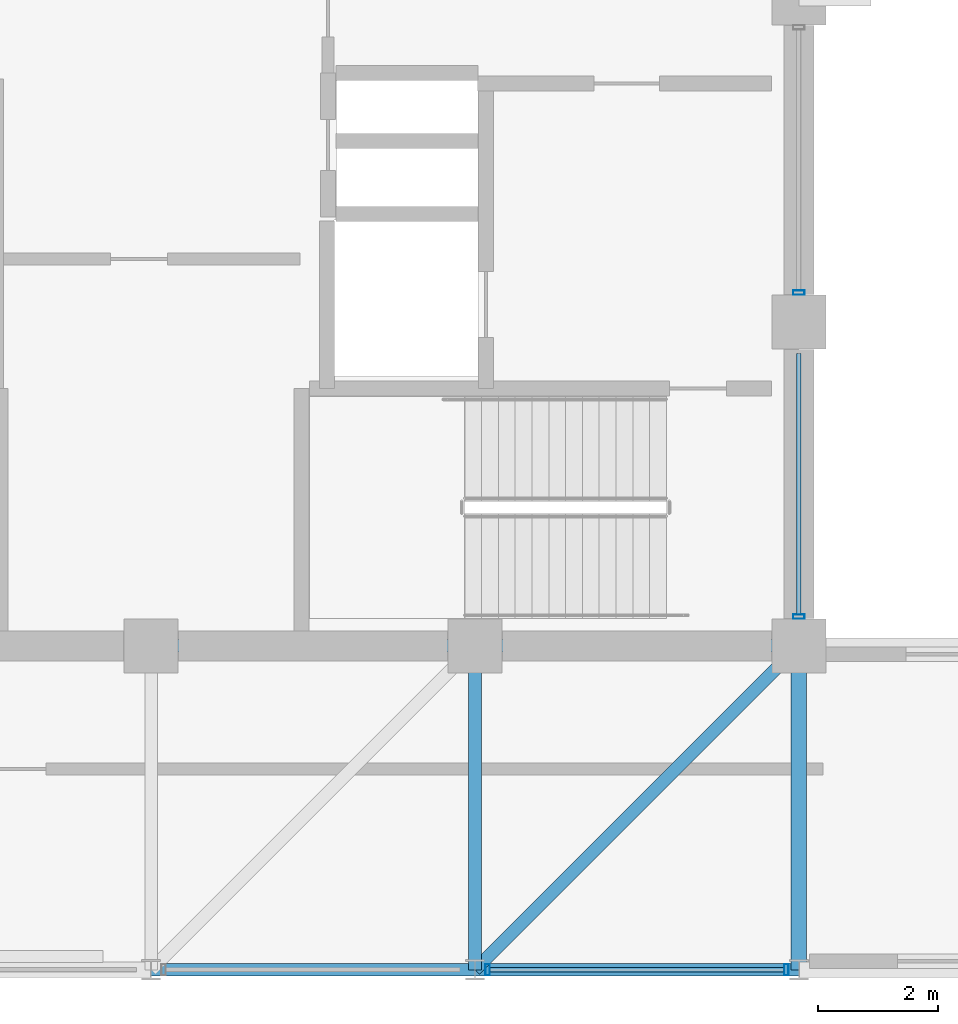
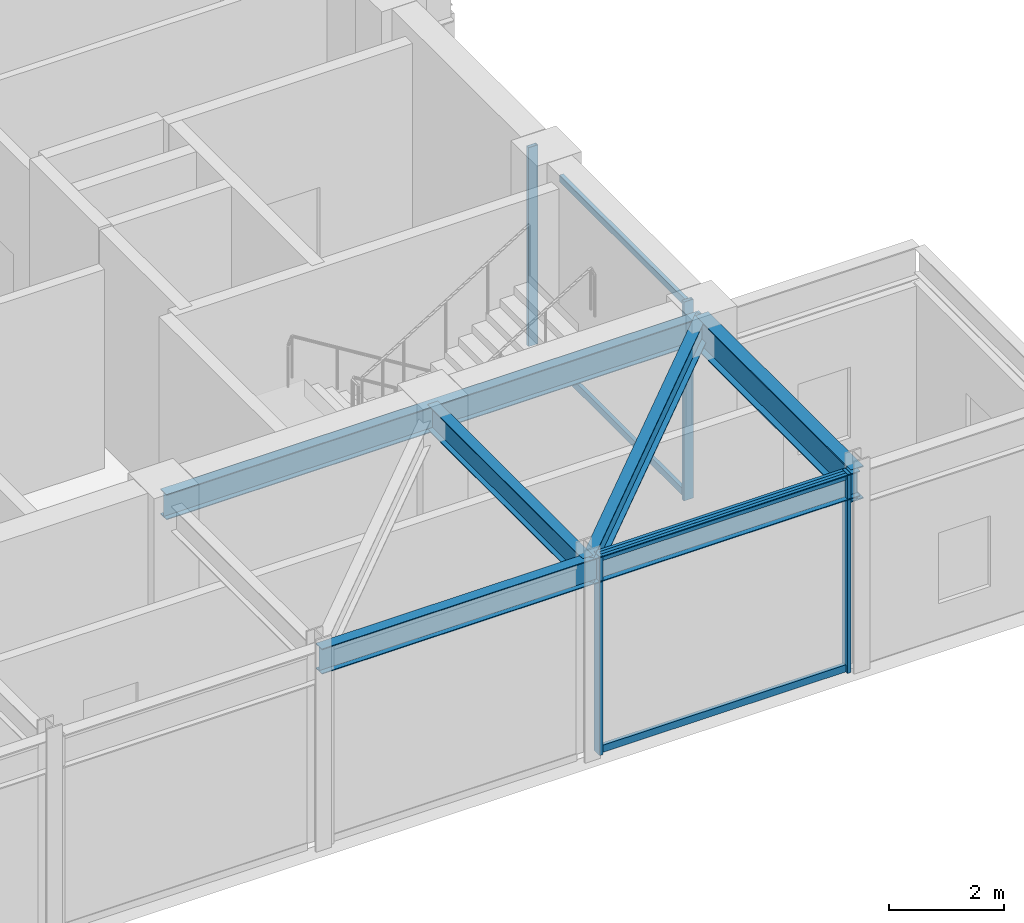
# One storey, part 5 of 18: 8 members, 5 beams, 2 elements without a shape of their own.
"""IFC4 building model written with IfcOpenShell, lengths in metres."""

from ifc_helpers import new_model, si_unit, direction, frame, origin, origin_2d, place, context, subcontext, project, spatial, hollow_rectangle, i_section, extrude, material, layer, layer_set, material_profile, profile_set, type_object, element, aggregate, save


model = new_model("IFC4")

# Units and contexts
model_context = context("Model", 3, precision=1e-05, world=origin(), true_north=direction((0.0, 1.0)))
body_context = subcontext(model_context, "Body", "Model", "MODEL_VIEW")
ifc_project = project(units=[si_unit("LENGTHUNIT", "METRE"), si_unit("AREAUNIT", "SQUARE_METRE"), si_unit("VOLUMEUNIT", "CUBIC_METRE"), si_unit("PLANEANGLEUNIT", "RADIAN"), si_unit("MASSUNIT", "GRAM", prefix="KILO")], contexts=[model_context])

# Site, building, storey
site_placement = place(None, origin())
site = spatial("IfcSite", under=ifc_project, at=site_placement, CompositionType="ELEMENT")
building_placement = place(site_placement, origin())
building = spatial("IfcBuilding", under=site, at=building_placement, Name="Surkhivell Harbour Commons", CompositionType="ELEMENT")
storey_placement = place(building_placement, frame((0.0, 0.0, 355.5)))
storey = spatial("IfcBuildingStorey", under=building, at=storey_placement, Name="L92", CompositionType="ELEMENT", Elevation=355.5)

# Beams
ifc_material_1 = material(Name="Steel S355", Category="steel")
ifc_material_profile_1 = material_profile(ifc_material_1, i_section(OverallWidth=0.2099609375, OverallDepth=0.537109375, WebThickness=0.0107421875, FlangeThickness=0.017333984375, at=origin_2d()), Name="UB533x210x101")
ifc_profile_set_1 = profile_set([ifc_material_profile_1], Name="Steel S355")
beam_type_1 = type_object("IfcBeamType", Name="BM-GRD-533B", PredefinedType="BEAM", material=ifc_profile_set_1)
for number, where, z_axis, x_axis, name in (
    (1, (0.0, -16.199951171875, 3.951416015625), (1.0, 0.0, 0.0), (0.0, 1.0, 0.0), "L92 Cantilever Back-Span Girder (0.0,-16.2)"),
    (2, (0.0, -10.800048828125, 3.951416015625), (1.0, 0.0, 0.0), (0.0, 1.0, 0.0), "L92 Cantilever Back-Span Girder (0.0,-10.8)"),
):
    element("IfcBeam", number, at=place(storey_placement, frame(where, z_axis=z_axis, x_axis=x_axis)), inside=storey, type_object=beam_type_1, Name=name, PredefinedType="BEAM", context=body_context, shape_type="SweptSolid", body=[
        extrude(i_section(OverallWidth=0.2099609375, OverallDepth=0.537109375, WebThickness=0.0107421875, FlangeThickness=0.017333984375, at=origin_2d()), origin(), (0.0, 0.0, 1.0), 10.800048828125),
    ])
beam_1_placement = place(storey_placement, frame((5.39990234375, -16.199951171875, 3.951416015625), z_axis=(0.0, 1.0, 0.0), x_axis=(-1.0, 0.0, 0.0)))
element("IfcBeam", 3, at=beam_1_placement, inside=storey, type_object=beam_type_1, Name="L92 Floor Girder (5.4,-16.2)", PredefinedType="BEAM", context=body_context, shape_type="SweptSolid", body=[
    extrude(i_section(OverallWidth=0.2099609375, OverallDepth=0.537109375, WebThickness=0.0107421875, FlangeThickness=0.017333984375, at=origin_2d()), origin(), (0.0, 0.0, 1.0), 5.39990234375),
])
beam_2_placement = place(storey_placement, frame((5.39990234375, -16.199951171875, 3.951416015625), z_axis=(0.707122765516, 0.707090796496, 0.0), x_axis=(-0.707090796496, 0.707122765516, 0.0)))
element("IfcBeam", 4, at=beam_2_placement, inside=storey, type_object=beam_type_1, Name="L92 Floor Girder (5.4,-16.2)", PredefinedType="BEAM", context=body_context, shape_type="SweptSolid", body=[
    extrude(i_section(OverallWidth=0.2099609375, OverallDepth=0.537109375, WebThickness=0.0107421875, FlangeThickness=0.017333984375, at=origin_2d()), origin(), (0.0, 0.0, 1.0), 7.63671875),
])
ifc_material_profile_2 = material_profile(ifc_material_1, i_section(OverallWidth=0.256103515625, OverallDepth=0.693115234375, WebThickness=0.014404296875, FlangeThickness=0.023681640625, at=origin_2d()), Name="UB686x254x170")
ifc_profile_set_2 = profile_set([ifc_material_profile_2], Name="Steel S355")
beam_type_2 = type_object("IfcBeamType", Name="BM-SPN-686", PredefinedType="SPANDREL", material=ifc_profile_set_2)
beam_3_placement = place(storey_placement, frame((10.800048828125, -16.199951171875, 3.87353515625), z_axis=(0.0, 1.0, 0.0), x_axis=(-1.0, 0.0, 0.0)))
element("IfcBeam", 5, at=beam_3_placement, inside=storey, type_object=beam_type_2, Name="L92 Tube Spandrel (10.8,-16.2)", PredefinedType="SPANDREL", context=body_context, shape_type="SweptSolid", body=[
    extrude(i_section(OverallWidth=0.256103515625, OverallDepth=0.693115234375, WebThickness=0.014404296875, FlangeThickness=0.023681640625, at=origin_2d()), origin(), (0.0, 0.0, 1.0), 5.39990234375),
])

# Curtain wall, members
ifc_material_2 = material(Name="Anodised pale-metal aluminium and insulated glazing", Category="aluminium")
ifc_layer = layer(ifc_material_2, 0.22998046875)
ifc_layer_set = layer_set([ifc_layer], Name="Anodised pale-metal aluminium and insulated glazing")
curtain_wall_type = type_object("IfcCurtainWallType", Name="CW-SYS-CRN", PredefinedType="NOTDEFINED", material=ifc_layer_set)
curtain_wall_1_placement = place(storey_placement, origin())
curtain_wall_1 = element("IfcCurtainWall", 6, at=curtain_wall_1_placement, inside=storey, type_object=curtain_wall_type, Name="L92 Curtain Wall CW-L92-C00", PredefinedType="NOTDEFINED")
ifc_material_3 = material(Name="Anodised pale-metal aluminium alloy 6063-T6", Category="aluminium")
ifc_material_profile_3 = material_profile(ifc_material_3, hollow_rectangle(XDim=0.074951171875, YDim=0.18994140625, WallThickness=0.00390625, at=origin_2d()), Name="ALU-MULL-75x190")
ifc_profile_set_3 = profile_set([ifc_material_profile_3], Name="Anodised pale-metal aluminium alloy 6063-T6")
member_type_1 = type_object("IfcMemberType", Name="CWM-190", PredefinedType="MULLION", material=ifc_profile_set_3)
member_1_placement = place(storey_placement, frame((5.609619140625, -16.199951171875, 0.0), z_axis=(0.0, 0.0, 1.0), x_axis=(1.0, 0.0, 0.0)))
member_1 = element("IfcMember", 7, at=member_1_placement, type_object=member_type_1, Name="CW-CRN mullion 5", PredefinedType="MULLION", context=body_context, shape_type="SweptSolid", body=[
    extrude(hollow_rectangle(XDim=0.074951171875, YDim=0.18994140625, WallThickness=0.00390625, at=origin_2d()), origin(), (0.0, 0.0, 1.0), 4.219970703125),
])
member_2_placement = place(storey_placement, frame((10.590576171875, -16.199951171875, 0.0), z_axis=(0.0, 0.0, 1.0), x_axis=(1.0, 0.0, 0.0)))
member_2 = element("IfcMember", 8, at=member_2_placement, type_object=member_type_1, Name="CW-CRN mullion 6", PredefinedType="MULLION", context=body_context, shape_type="SweptSolid", body=[
    extrude(hollow_rectangle(XDim=0.074951171875, YDim=0.18994140625, WallThickness=0.00390625, at=origin_2d()), origin(), (0.0, 0.0, 1.0), 4.219970703125),
])

curtain_wall_2_placement = place(storey_placement, origin())
curtain_wall_2 = element("IfcCurtainWall", 9, at=curtain_wall_2_placement, inside=storey, type_object=curtain_wall_type, Name="L92 Curtain Wall CW-L92-C01S1", PredefinedType="NOTDEFINED")
member_3_placement = place(storey_placement, frame((10.800048828125, -10.310546875, 0.0), z_axis=(0.0, 0.0, 1.0), x_axis=(0.0, 1.0, 0.0)))
member_3 = element("IfcMember", 10, at=member_3_placement, type_object=member_type_1, Name="CW-CRN mullion 1", PredefinedType="MULLION", context=body_context, shape_type="SweptSolid", body=[
    extrude(hollow_rectangle(XDim=0.074951171875, YDim=0.18994140625, WallThickness=0.00390625, at=origin_2d()), origin(), (0.0, 0.0, 1.0), 4.219970703125),
])
member_4_placement = place(storey_placement, frame((10.800048828125, -4.910400390625, 0.0), z_axis=(0.0, 0.0, 1.0), x_axis=(0.0, 1.0, 0.0)))
member_4 = element("IfcMember", 11, at=member_4_placement, type_object=member_type_1, Name="CW-CRN mullion 2", PredefinedType="MULLION", context=body_context, shape_type="SweptSolid", body=[
    extrude(hollow_rectangle(XDim=0.074951171875, YDim=0.18994140625, WallThickness=0.00390625, at=origin_2d()), origin(), (0.0, 0.0, 1.0), 4.219970703125),
])

# Member
ifc_material_profile_4 = material_profile(ifc_material_3, hollow_rectangle(XDim=0.074951171875, YDim=0.14990234375, WallThickness=0.00341796875, at=origin_2d()), Name="ALU-TRAN-75x150")
ifc_profile_set_4 = profile_set([ifc_material_profile_4], Name="Anodised pale-metal aluminium alloy 6063-T6")
member_type_2 = type_object("IfcMemberType", Name="CWT-150", PredefinedType="USERDEFINED", material=ifc_profile_set_4)
member_5_placement = place(storey_placement, frame((5.64697265625, -16.199951171875, 0.074951171875), z_axis=(1.0, 0.0, 0.0), x_axis=(0.0, 1.0, 0.0)))
member_5 = element("IfcMember", 12, at=member_5_placement, type_object=member_type_2, Name="CW-CRN transom 5.1", ObjectType="TRANSOM", PredefinedType="USERDEFINED", context=body_context, shape_type="SweptSolid", body=[
    extrude(hollow_rectangle(XDim=0.074951171875, YDim=0.14990234375, WallThickness=0.00341796875, at=origin_2d()), origin(), (0.0, 0.0, 1.0), 4.906005859375),
])

member_6_placement = place(storey_placement, frame((5.64697265625, -16.199951171875, 4.14501953125), z_axis=(1.0, 0.0, 0.0), x_axis=(0.0, 1.0, 0.0)))
member_6 = element("IfcMember", 13, at=member_6_placement, type_object=member_type_2, Name="CW-CRN transom 5.2", ObjectType="TRANSOM", PredefinedType="USERDEFINED", context=body_context, shape_type="SweptSolid", body=[
    extrude(hollow_rectangle(XDim=0.074951171875, YDim=0.14990234375, WallThickness=0.00341796875, at=origin_2d()), origin(), (0.0, 0.0, 1.0), 4.906005859375),
])

aggregate(curtain_wall_1, [member_1, member_2, member_5, member_6])

member_7_placement = place(storey_placement, frame((10.800048828125, -10.27294921875, 0.074951171875), z_axis=(0.0, 1.0, 0.0), x_axis=(-1.0, 0.0, 0.0)))
member_7 = element("IfcMember", 14, at=member_7_placement, type_object=member_type_2, Name="CW-CRN transom 1.1", ObjectType="TRANSOM", PredefinedType="USERDEFINED", context=body_context, shape_type="SweptSolid", body=[
    extrude(hollow_rectangle(XDim=0.074951171875, YDim=0.14990234375, WallThickness=0.00341796875, at=origin_2d()), origin(), (0.0, 0.0, 1.0), 4.345947265625),
])

member_8_placement = place(storey_placement, frame((10.800048828125, -10.27294921875, 4.14501953125), z_axis=(0.0, 1.0, 0.0), x_axis=(-1.0, 0.0, 0.0)))
member_8 = element("IfcMember", 15, at=member_8_placement, type_object=member_type_2, Name="CW-CRN transom 1.2", ObjectType="TRANSOM", PredefinedType="USERDEFINED", context=body_context, shape_type="SweptSolid", body=[
    extrude(hollow_rectangle(XDim=0.074951171875, YDim=0.14990234375, WallThickness=0.00341796875, at=origin_2d()), origin(), (0.0, 0.0, 1.0), 4.345947265625),
])

aggregate(curtain_wall_2, [member_3, member_7, member_8, member_4])

save(model, "model.ifc")
